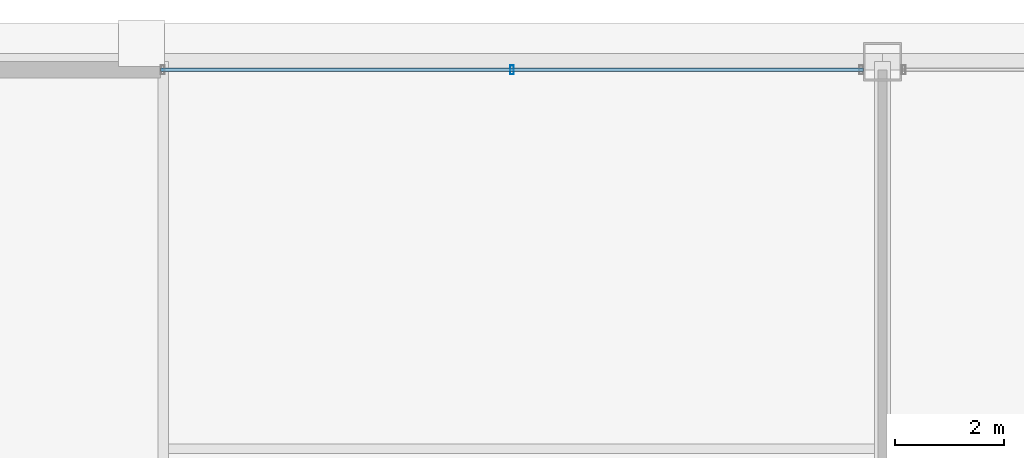
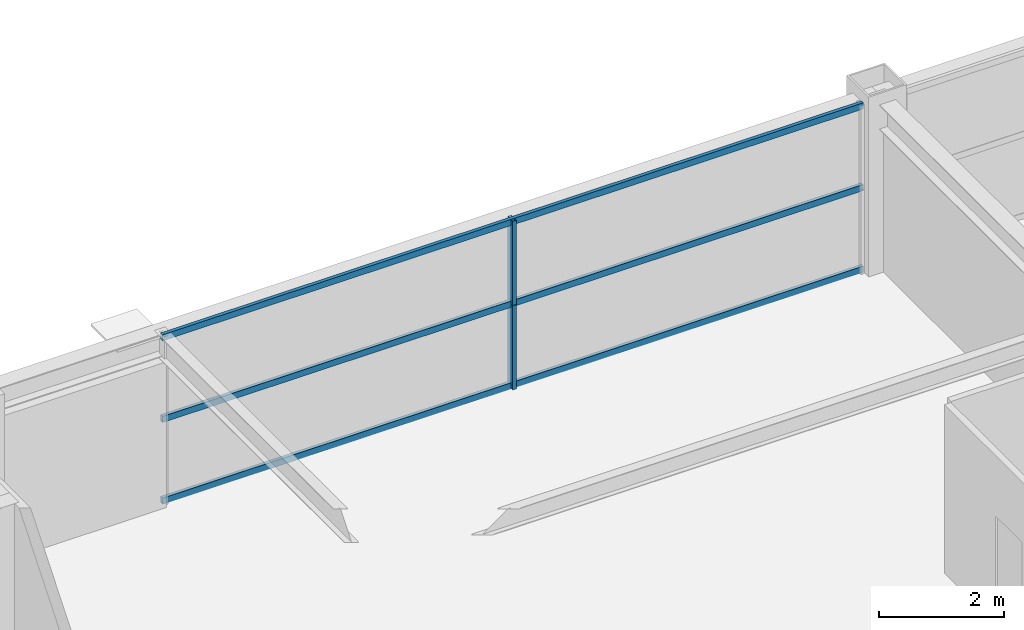
# One storey, part 26 of 36: 5 members, 1 element without a shape of its own.
"""IFC4 building model written with IfcOpenShell, lengths in metres."""

from ifc_helpers import new_model, si_unit, direction, frame, origin, origin_2d, place, context, subcontext, project, spatial, hollow_rectangle, extrude, source, transform, mapped, material, layer, layer_set, material_profile, profile_set, type_object, element, aggregate, save


model = new_model("IFC4")

# Units and contexts
model_context = context("Model", 3, precision=1e-05, world=origin(), true_north=direction((0.0, 1.0)))
body_context = subcontext(model_context, "Body", "Model", "MODEL_VIEW")
ifc_project = project(units=[si_unit("LENGTHUNIT", "METRE"), si_unit("AREAUNIT", "SQUARE_METRE"), si_unit("VOLUMEUNIT", "CUBIC_METRE"), si_unit("PLANEANGLEUNIT", "RADIAN"), si_unit("MASSUNIT", "GRAM", prefix="KILO"), si_unit("THERMODYNAMICTEMPERATUREUNIT", "KELVIN"), si_unit("POWERUNIT", "WATT")], contexts=[model_context])

# Site, building, storey
site_placement = place(None, origin())
site = spatial("IfcSite", under=ifc_project, at=site_placement, CompositionType="ELEMENT")
building_placement = place(site_placement, origin())
building = spatial("IfcBuilding", under=site, at=building_placement, Name="Yuzanri Waterfront Tower", CompositionType="ELEMENT")
storey_placement = place(building_placement, frame((0.0, 0.0, 231.10009765625)))
storey = spatial("IfcBuildingStorey", under=building, at=storey_placement, Name="L61", CompositionType="ELEMENT", Elevation=231.10009765625)

# Curtain wall, members
ifc_material_1 = material(Name="Anodized Architectural Bronze", Category="metal")
ifc_layer = layer(ifc_material_1, 0.159912109375)
ifc_layer_set = layer_set([ifc_layer], Name="Anodized Architectural Bronze")
curtain_wall_type = type_object("IfcCurtainWallType", Name="Anodized Bronze Mid-Rise Residential Acoustic Unitized Curtain Wall 7200", PredefinedType="NOTDEFINED", material=ifc_layer_set)
curtain_wall_placement = place(storey_placement, origin())
curtain_wall = element("IfcCurtainWall", 1, at=curtain_wall_placement, inside=storey, type_object=curtain_wall_type, Name="L61 Curtain Wall CW-L61-NL", PredefinedType="NOTDEFINED")
ifc_material_2 = material(Name="Anodized Architectural Bronze", Category="metal")
ifc_material_profile_1 = material_profile(ifc_material_2, hollow_rectangle(XDim=0.06494140625, YDim=0.159912109375, WallThickness=0.00341796875, at=origin_2d()), Name="CWM 65x160")
ifc_profile_set_1 = profile_set([ifc_material_profile_1], Name="Anodized Architectural Bronze")
member_type_1 = type_object("IfcMemberType", Name="Anodized Bronze Upper-Zone Curtain-Wall Mullion 65x160", PredefinedType="MULLION", material=ifc_profile_set_1)
shared_shape_1 = source(origin(), body_context, "Body", "SweptSolid", [
    extrude(hollow_rectangle(XDim=0.06494140625, YDim=0.159912109375, WallThickness=0.00341796875, at=origin_2d()), origin(), (0.0, 0.0, 1.0), 1.637939453125),
])
member_1_placement = place(storey_placement, frame((30.199951171875, 46.25, 0.0), z_axis=(0.0, 0.0, 1.0), x_axis=(1.0, 0.0, 0.0)))
member_1 = element("IfcMember", 2, at=member_1_placement, type_object=member_type_1, Name="CW-L61-NL Lower Mullion 01", PredefinedType="MULLION", context=body_context, shape_type="MappedRepresentation", body=[
    mapped(shared_shape_1, transform((0.0, 0.0, 0.0), scale=1.0)),
])
member_2_placement = place(storey_placement, frame((30.199951171875, 46.25, 1.641845703125), z_axis=(0.0, 0.0, 1.0), x_axis=(1.0, 0.0, 0.0)))
member_2 = element("IfcMember", 3, at=member_2_placement, type_object=member_type_1, Name="CW-L61-NL Upper Mullion 01", PredefinedType="MULLION", context=body_context, shape_type="MappedRepresentation", body=[
    mapped(shared_shape_1, transform((0.0, 0.0, 0.0), scale=1.0)),
])
ifc_material_3 = material(Name="Anodized Architectural Bronze", Category="metal")
ifc_material_profile_2 = material_profile(ifc_material_3, hollow_rectangle(XDim=0.06494140625, YDim=0.1201171875, WallThickness=0.00341796875, at=origin_2d()), Name="CWT 65x120")
ifc_profile_set_2 = profile_set([ifc_material_profile_2], Name="Anodized Architectural Bronze")
member_type_2 = type_object("IfcMemberType", Name="Anodized Bronze Secondary Curtain-Wall Transom 65x120", PredefinedType="USERDEFINED", material=ifc_profile_set_2)
shared_shape_2 = source(origin(), body_context, "Body", "SweptSolid", [
    extrude(hollow_rectangle(XDim=0.06494140625, YDim=0.1201171875, WallThickness=0.00341796875, at=origin_2d()), origin(), (0.0, 0.0, 1.0), 12.89990234375),
])
member_3_placement = place(storey_placement, frame((23.75, 46.25, 0.0498046875), z_axis=(1.0, 0.0, 0.0), x_axis=(0.0, 1.0, 0.0)))
member_3 = element("IfcMember", 4, at=member_3_placement, type_object=member_type_2, Name="CW-L61-NL Transom 1", ObjectType="TRANSOM", PredefinedType="USERDEFINED", context=body_context, shape_type="MappedRepresentation", body=[
    mapped(shared_shape_2, transform((0.0, 0.0, 0.0), scale=1.0)),
])
member_4_placement = place(storey_placement, frame((23.75, 46.25, 1.639892578125), z_axis=(1.0, 0.0, 0.0), x_axis=(0.0, 1.0, 0.0)))
member_4 = element("IfcMember", 5, at=member_4_placement, type_object=member_type_2, Name="CW-L61-NL Transom 2", ObjectType="TRANSOM", PredefinedType="USERDEFINED", context=body_context, shape_type="MappedRepresentation", body=[
    mapped(shared_shape_2, transform((0.0, 0.0, 0.0), scale=1.0)),
])
member_5_placement = place(storey_placement, frame((23.75, 46.25, 3.22998046875), z_axis=(1.0, 0.0, 0.0), x_axis=(0.0, 1.0, 0.0)))
member_5 = element("IfcMember", 6, at=member_5_placement, type_object=member_type_2, Name="CW-L61-NL Transom 3", ObjectType="TRANSOM", PredefinedType="USERDEFINED", context=body_context, shape_type="MappedRepresentation", body=[
    mapped(shared_shape_2, transform((0.0, 0.0, 0.0), scale=1.0)),
])
aggregate(curtain_wall, [member_1, member_2, member_3, member_4, member_5])

save(model, "model.ifc")
